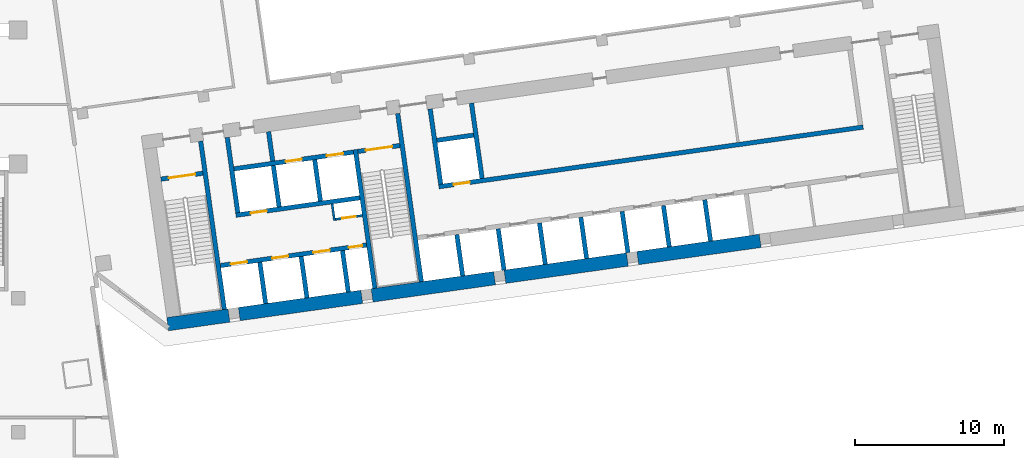
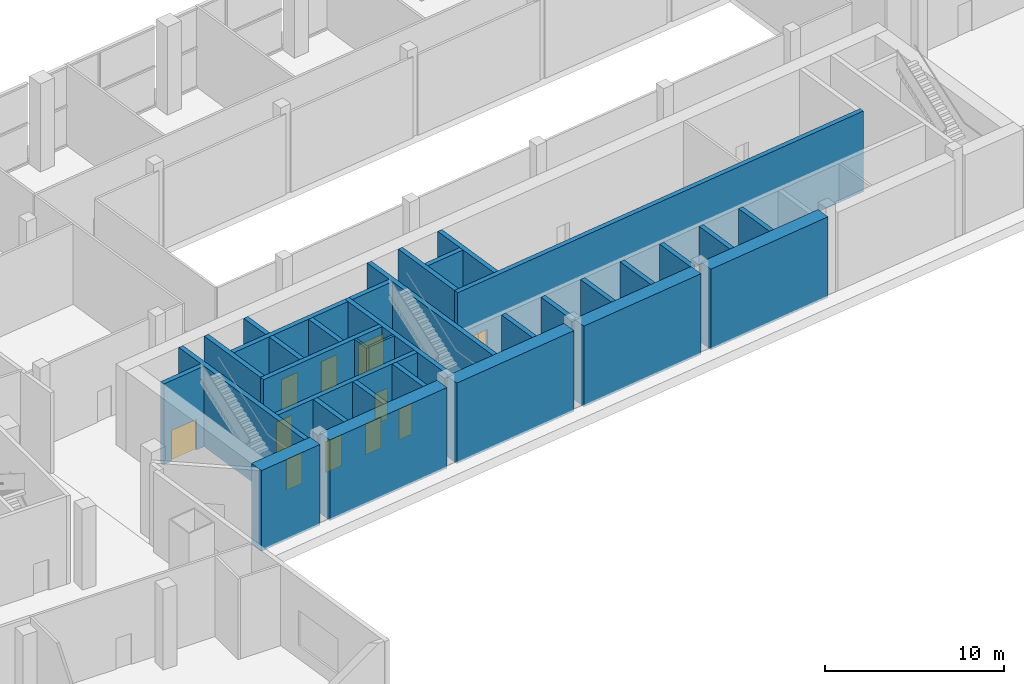
# One storey, part 16 of 24: 33 walls, 11 doors, 11 openings.
"""IFC4 building model written with IfcOpenShell, lengths in metres."""

from ifc_helpers import new_model, si_unit, direction, frame, frame_2d, origin, place, context, subcontext, project, spatial, rectangle, extrude, material, layer, layer_set, type_object, element, fill, save


model = new_model("IFC4")

# Units and contexts
model_context = context("Model", 3, precision=1e-05, world=origin(), true_north=direction((0.0, 1.0)))
body_context = subcontext(model_context, "Body", "Model", "MODEL_VIEW")
ifc_project = project(units=[si_unit("LENGTHUNIT", "METRE"), si_unit("AREAUNIT", "SQUARE_METRE"), si_unit("VOLUMEUNIT", "CUBIC_METRE"), si_unit("PLANEANGLEUNIT", "RADIAN"), si_unit("MASSUNIT", "GRAM", prefix="KILO")], contexts=[model_context])

# Site, building, storey
site_placement = place(None, origin())
site = spatial("IfcSite", under=ifc_project, at=site_placement, CompositionType="ELEMENT")
building_placement = place(site_placement, origin())
building = spatial("IfcBuilding", under=site, at=building_placement, Name="Mirante Cascada Hotel Towers", CompositionType="ELEMENT")
storey_placement = place(building_placement, frame((0.0, 0.0, 17.5)))
storey = spatial("IfcBuildingStorey", under=building, at=storey_placement, Name="L02", CompositionType="ELEMENT", Elevation=17.5)

# Wall
ifc_material_1 = material(Name="Masonry block", Category="masonry")
ifc_layer_1 = layer(ifc_material_1, 0.15)
ifc_layer_set_1 = layer_set([ifc_layer_1], Name="Core room partition 150 block EI 30")
wall_type_1 = type_object("IfcWallType", Name="Core room partition 150 block EI 30", PredefinedType="PARTITIONING", material=ifc_layer_set_1)
wall_1_placement = place(storey_placement, frame((48.2295, -12.793, 0.0), z_axis=(0.0, 0.0, 1.0), x_axis=(-0.1391935, 0.9902652, 0.0)))
element("IfcWall", 1, at=wall_1_placement, inside=storey, type_object=wall_type_1, Name="Core wall partition T2 L02 2", PredefinedType="PARTITIONING", context=body_context, shape_type="SweptSolid", body=[
    extrude(rectangle(XDim=1.1251, YDim=0.15, at=frame_2d((0.5626, 0.0))), origin(), (0.0, 0.0, 1.0), 5.5),
])

# Wall, opening, door
wall_2_placement = place(storey_placement, frame((48.2933, -12.7083, 0.0), z_axis=(0.0, 0.0, 1.0), x_axis=(0.990268, 0.1391734, 0.0)))
wall_2 = element("IfcWall", 2, at=wall_2_placement, inside=storey, type_object=wall_type_1, Name="Core wall partition T2 L02 3", PredefinedType="PARTITIONING", context=body_context, shape_type="SweptSolid", body=[
    extrude(rectangle(XDim=1.8251, YDim=0.15, at=frame_2d((0.9126, 0.0))), origin(), (0.0, 0.0, 1.0), 5.5),
])
opening_1_placement = place(wall_2_placement, frame((0.4625, 0.0, 0.0)))
opening_1 = element("IfcOpeningElement", 3, at=opening_1_placement, cuts=wall_2, Name="Opening D2-02-C26", PredefinedType="OPENING", context=body_context, shape_type="SweptSolid", body=[
    extrude(rectangle(XDim=0.9, YDim=2.1, at=frame_2d((0.45, 1.05))), frame((0.0, 0.075, 0.0), z_axis=(0.0, -1.0, 0.0), x_axis=(1.0, 0.0, 0.0)), (0.0, 0.0, 1.0), 0.15),
])
ifc_material_2 = material(Name="Hollow metal fire door leaf")
door_type_1 = type_object("IfcDoorType", Name="Fire door 900x2100 FD60", OperationType="NOTDEFINED", PredefinedType="DOOR", material=ifc_material_2)
door_1_placement = place(opening_1_placement, frame((0.9, 0.0, 0.0), z_axis=(0.0, 0.0, 1.0), x_axis=(-1.0, 0.0, 0.0)))
door_1 = element("IfcDoor", 4, at=door_1_placement, inside=storey, type_object=door_type_1, Name="Riser door T2 L02 26", OperationType="SINGLE_SWING_LEFT", OverallHeight=2.1, OverallWidth=0.9, PredefinedType="DOOR", context=body_context, shape_type="SweptSolid", body=[
    extrude(rectangle(XDim=0.9, YDim=2.1, at=frame_2d((0.45, 1.05))), frame((0.0, 0.025, 0.0), z_axis=(0.0, -1.0, 0.0), x_axis=(1.0, 0.0, 0.0)), (0.0, 0.0, 1.0), 0.05),
])
fill(opening_1, door_1)

# Walls
ifc_material_3 = material(Name="Masonry block", Category="masonry")
ifc_layer_2 = layer(ifc_material_3, 0.3)
ifc_layer_set_2 = layer_set([ifc_layer_2], Name="Core wall 300 block EI 120")
wall_type_2 = type_object("IfcWallType", Name="Core wall 300 block EI 120", PredefinedType="PARTITIONING", material=ifc_layer_set_2)
wall_3_placement = place(storey_placement, frame((44.0843, -8.8061, 0.0), z_axis=(0.0, 0.0, 1.0), x_axis=(-0.1391951, 0.990265, 0.0)))
element("IfcWall", 5, at=wall_3_placement, inside=storey, type_object=wall_type_2, Name="Core wall partition T2 L02 1", PredefinedType="PARTITIONING", context=body_context, shape_type="SweptSolid", body=[
    extrude(rectangle(XDim=2.0001, YDim=0.3, at=frame_2d((1.0001, 0.0))), origin(), (0.0, 0.0, 1.0), 5.5),
])
ifc_material_4 = material(Name="Concrete C50/60", Category="concrete")
ifc_layer_3 = layer(ifc_material_4, 0.3)
ifc_layer_set_3 = layer_set([ifc_layer_3], Name="RC core wall 300 C50/60")
wall_type_3 = type_object("IfcWallType", Name="RC core wall 300 C50/60", PredefinedType="SHEAR", material=ifc_layer_set_3)
wall_4_placement = place(storey_placement, frame((40.8373, -18.7548, 0.0), z_axis=(0.0, 0.0, 1.0), x_axis=(-0.1391749, 0.9902678, 0.0)))
element("IfcWall", 6, at=wall_4_placement, inside=storey, type_object=wall_type_3, Name="Core wall T2:L02:5", PredefinedType="SHEAR", context=body_context, shape_type="SweptSolid", body=[
    extrude(rectangle(XDim=11.4, YDim=0.3, at=frame_2d((5.7, 0.0))), origin(), (0.0, 0.0, 1.0), 5.5),
])
wall_5_placement = place(storey_placement, frame((50.938, -17.3352, 0.0), z_axis=(0.0, 0.0, 1.0), x_axis=(-0.1391706, 0.9902684, 0.0)))
element("IfcWall", 7, at=wall_5_placement, inside=storey, type_object=wall_type_3, Name="Core wall T2:L02:6", PredefinedType="SHEAR", context=body_context, shape_type="SweptSolid", body=[
    extrude(rectangle(XDim=9.4, YDim=0.3, at=frame_2d((4.7, 0.0))), origin(), (0.0, 0.0, 1.0), 5.5),
])
wall_6_placement = place(storey_placement, frame((54.0574, -16.8968, 0.0), z_axis=(0.0, 0.0, 1.0), x_axis=(-0.1391761, 0.9902677, 0.0)))
element("IfcWall", 8, at=wall_6_placement, inside=storey, type_object=wall_type_3, Name="Core wall T2:L02:7", PredefinedType="SHEAR", context=body_context, shape_type="SweptSolid", body=[
    extrude(rectangle(XDim=11.3999, YDim=0.3, at=frame_2d((5.7, 0.0))), origin(), (0.0, 0.0, 1.0), 5.5),
])

# Wall, opening, door
wall_7_placement = place(storey_placement, frame((36.5791, -10.0123, 0.0), z_axis=(0.0, 0.0, 1.0), x_axis=(0.9902704, 0.1391564, 0.0)))
wall_7 = element("IfcWall", 9, at=wall_7_placement, inside=storey, type_object=wall_type_3, Name="Core wall T2:L02:9", PredefinedType="SHEAR", context=body_context, shape_type="SweptSolid", body=[
    extrude(rectangle(XDim=2.85, YDim=0.3, at=frame_2d((1.425, 0.0))), origin(), (0.0, 0.0, 1.0), 5.5),
])
opening_2_placement = place(wall_7_placement, frame((0.525, 0.0, 0.0)))
opening_2 = element("IfcOpeningElement", 10, at=opening_2_placement, cuts=wall_7, Name="Opening D2-02-C16", PredefinedType="OPENING", context=body_context, shape_type="SweptSolid", body=[
    extrude(rectangle(XDim=1.8, YDim=2.1, at=frame_2d((0.9, 1.05))), frame((0.0, 0.15, 0.0), z_axis=(0.0, -1.0, 0.0), x_axis=(1.0, 0.0, 0.0)), (0.0, 0.0, 1.0), 0.3),
])
ifc_material_5 = material(Name="Hollow metal fire door leaf")
door_type_2 = type_object("IfcDoorType", Name="Double fire door 1800x2100 FD60", OperationType="DOUBLE_DOOR_SINGLE_SWING", PredefinedType="DOOR", material=ifc_material_5)
door_2_placement = place(opening_2_placement, frame((1.8, 0.0, 0.0), z_axis=(0.0, 0.0, 1.0), x_axis=(-1.0, 0.0, 0.0)))
door_2 = element("IfcDoor", 11, at=door_2_placement, inside=storey, type_object=door_type_2, Name="Stair door T2 L02 16", OperationType="DOUBLE_DOOR_SINGLE_SWING", OverallHeight=2.1, OverallWidth=1.8, PredefinedType="DOOR", context=body_context, shape_type="SweptSolid", body=[
    extrude(rectangle(XDim=0.895, YDim=2.1, at=frame_2d((0.4475, 1.05))), frame((0.0, 0.025, 0.0), z_axis=(0.0, -1.0, 0.0), x_axis=(1.0, 0.0, 0.0)), (0.0, 0.0, 1.0), 0.05),
    extrude(rectangle(XDim=0.895, YDim=2.1, at=frame_2d((1.3525, 1.05))), frame((0.0, 0.025, 0.0), z_axis=(0.0, -1.0, 0.0), x_axis=(1.0, 0.0, 0.0)), (0.0, 0.0, 1.0), 0.05),
])
fill(opening_2, door_2)

wall_8_placement = place(storey_placement, frame((49.7992, -8.1544, 0.0), z_axis=(0.0, 0.0, 1.0), x_axis=(0.9902656, 0.1391909, 0.0)))
wall_8 = element("IfcWall", 12, at=wall_8_placement, inside=storey, type_object=wall_type_3, Name="Core wall T2:L02:10", PredefinedType="SHEAR", context=body_context, shape_type="SweptSolid", body=[
    extrude(rectangle(XDim=2.85, YDim=0.3, at=frame_2d((1.425, 0.0))), origin(), (0.0, 0.0, 1.0), 5.5),
])
opening_3_placement = place(wall_8_placement, frame((0.525, 0.0, 0.0)))
opening_3 = element("IfcOpeningElement", 13, at=opening_3_placement, cuts=wall_8, Name="Opening D2-02-C18", PredefinedType="OPENING", context=body_context, shape_type="SweptSolid", body=[
    extrude(rectangle(XDim=1.8, YDim=2.1, at=frame_2d((0.9, 1.05))), frame((0.0, 0.15, 0.0), z_axis=(0.0, -1.0, 0.0), x_axis=(1.0, 0.0, 0.0)), (0.0, 0.0, 1.0), 0.3),
])
door_3_placement = place(opening_3_placement, frame((1.8, 0.0, 0.0), z_axis=(0.0, 0.0, 1.0), x_axis=(-1.0, 0.0, 0.0)))
door_3 = element("IfcDoor", 14, at=door_3_placement, inside=storey, type_object=door_type_2, Name="Stair door T2 L02 18", OperationType="DOUBLE_DOOR_SINGLE_SWING", OverallHeight=2.1, OverallWidth=1.8, PredefinedType="DOOR", context=body_context, shape_type="SweptSolid", body=[
    extrude(rectangle(XDim=0.895, YDim=2.1, at=frame_2d((0.4475, 1.05))), frame((0.0, 0.025, 0.0), z_axis=(0.0, -1.0, 0.0), x_axis=(1.0, 0.0, 0.0)), (0.0, 0.0, 1.0), 0.05),
    extrude(rectangle(XDim=0.895, YDim=2.1, at=frame_2d((1.3525, 1.05))), frame((0.0, 0.025, 0.0), z_axis=(0.0, -1.0, 0.0), x_axis=(1.0, 0.0, 0.0)), (0.0, 0.0, 1.0), 0.05),
])
fill(opening_3, door_3)

# Wall, openings, doors
wall_9_placement = place(storey_placement, frame((40.5753, -15.8126, 0.0), z_axis=(0.0, 0.0, 1.0), x_axis=(0.9902682, 0.1391725, 0.0)))
wall_9 = element("IfcWall", 15, at=wall_9_placement, inside=storey, type_object=wall_type_3, Name="Core wall T2:L02:12", PredefinedType="SHEAR", context=body_context, shape_type="SweptSolid", body=[
    extrude(rectangle(XDim=9.8999, YDim=0.3, at=frame_2d((4.95, 0.0))), origin(), (0.0, 0.0, 1.0), 5.5),
])
opening_4_placement = place(wall_9_placement, frame((0.7, 0.0, 0.0)))
opening_4 = element("IfcOpeningElement", 16, at=opening_4_placement, cuts=wall_9, Name="Opening LD", PredefinedType="OPENING", context=body_context, shape_type="SweptSolid", body=[
    extrude(rectangle(XDim=1.1, YDim=2.1, at=frame_2d((0.55, 1.05))), frame((0.0, 0.15, 0.0), z_axis=(0.0, -1.0, 0.0), x_axis=(1.0, 0.0, 0.0)), (0.0, 0.0, 1.0), 0.3),
])
opening_5_placement = place(wall_9_placement, frame((3.5, 0.0, 0.0)))
opening_5 = element("IfcOpeningElement", 17, at=opening_5_placement, cuts=wall_9, Name="Opening LD", PredefinedType="OPENING", context=body_context, shape_type="SweptSolid", body=[
    extrude(rectangle(XDim=1.1, YDim=2.1, at=frame_2d((0.55, 1.05))), frame((0.0, 0.15, 0.0), z_axis=(0.0, -1.0, 0.0), x_axis=(1.0, 0.0, 0.0)), (0.0, 0.0, 1.0), 0.3),
])
opening_6_placement = place(wall_9_placement, frame((6.3, 0.0, 0.0)))
opening_6 = element("IfcOpeningElement", 18, at=opening_6_placement, cuts=wall_9, Name="Opening LD", PredefinedType="OPENING", context=body_context, shape_type="SweptSolid", body=[
    extrude(rectangle(XDim=1.1, YDim=2.1, at=frame_2d((0.55, 1.05))), frame((0.0, 0.15, 0.0), z_axis=(0.0, -1.0, 0.0), x_axis=(1.0, 0.0, 0.0)), (0.0, 0.0, 1.0), 0.3),
])
opening_7_placement = place(wall_9_placement, frame((8.7, 0.0, 0.0)))
opening_7 = element("IfcOpeningElement", 19, at=opening_7_placement, cuts=wall_9, Name="Opening D2-02-C25", PredefinedType="OPENING", context=body_context, shape_type="SweptSolid", body=[
    extrude(rectangle(XDim=0.9, YDim=2.1, at=frame_2d((0.45, 1.05))), frame((0.0, 0.15, 0.0), z_axis=(0.0, -1.0, 0.0), x_axis=(1.0, 0.0, 0.0)), (0.0, 0.0, 1.0), 0.3),
])
door_4_placement = place(opening_7_placement, frame((0.9, 0.0, 0.0), z_axis=(0.0, 0.0, 1.0), x_axis=(-1.0, 0.0, 0.0)))
door_4 = element("IfcDoor", 20, at=door_4_placement, inside=storey, type_object=door_type_1, Name="Riser door T2 L02 25", OperationType="SINGLE_SWING_RIGHT", OverallHeight=2.1, OverallWidth=0.9, PredefinedType="DOOR", context=body_context, shape_type="SweptSolid", body=[
    extrude(rectangle(XDim=0.9, YDim=2.1, at=frame_2d((0.45, 1.05))), frame((0.0, 0.025, 0.0), z_axis=(0.0, -1.0, 0.0), x_axis=(1.0, 0.0, 0.0)), (0.0, 0.0, 1.0), 0.05),
])
fill(opening_7, door_4)
ifc_material_6 = material(Name="Stainless steel", Category="steel")
door_type_3 = type_object("IfcDoorType", Name="Lift landing door 1100x2100 EI 120", OperationType="DOUBLE_DOOR_SLIDING", PredefinedType="DOOR", material=ifc_material_6)
door_5_placement = place(opening_4_placement, origin())
door_5 = element("IfcDoor", 21, at=door_5_placement, inside=storey, type_object=door_type_3, Name="Lift landing door HR2-1 L02", OperationType="DOUBLE_DOOR_SLIDING", OverallHeight=2.1, OverallWidth=1.1, PredefinedType="DOOR", context=body_context, shape_type="SweptSolid", body=[
    extrude(rectangle(XDim=0.545, YDim=2.1, at=frame_2d((0.2725, 1.05))), frame((0.0, 0.025, 0.0), z_axis=(0.0, -1.0, 0.0), x_axis=(1.0, 0.0, 0.0)), (0.0, 0.0, 1.0), 0.05),
    extrude(rectangle(XDim=0.545, YDim=2.1, at=frame_2d((0.8275, 1.05))), frame((0.0, 0.025, 0.0), z_axis=(0.0, -1.0, 0.0), x_axis=(1.0, 0.0, 0.0)), (0.0, 0.0, 1.0), 0.05),
])
fill(opening_4, door_5)
door_6_placement = place(opening_5_placement, origin())
door_6 = element("IfcDoor", 22, at=door_6_placement, inside=storey, type_object=door_type_3, Name="Lift landing door HR2-2 L02", OperationType="DOUBLE_DOOR_SLIDING", OverallHeight=2.1, OverallWidth=1.1, PredefinedType="DOOR", context=body_context, shape_type="SweptSolid", body=[
    extrude(rectangle(XDim=0.545, YDim=2.1, at=frame_2d((0.2725, 1.05))), frame((0.0, 0.025, 0.0), z_axis=(0.0, -1.0, 0.0), x_axis=(1.0, 0.0, 0.0)), (0.0, 0.0, 1.0), 0.05),
    extrude(rectangle(XDim=0.545, YDim=2.1, at=frame_2d((0.8275, 1.05))), frame((0.0, 0.025, 0.0), z_axis=(0.0, -1.0, 0.0), x_axis=(1.0, 0.0, 0.0)), (0.0, 0.0, 1.0), 0.05),
])
fill(opening_5, door_6)
door_7_placement = place(opening_6_placement, origin())
door_7 = element("IfcDoor", 23, at=door_7_placement, inside=storey, type_object=door_type_3, Name="Lift landing door HR2-3 L02", OperationType="DOUBLE_DOOR_SLIDING", OverallHeight=2.1, OverallWidth=1.1, PredefinedType="DOOR", context=body_context, shape_type="SweptSolid", body=[
    extrude(rectangle(XDim=0.545, YDim=2.1, at=frame_2d((0.2725, 1.05))), frame((0.0, 0.025, 0.0), z_axis=(0.0, -1.0, 0.0), x_axis=(1.0, 0.0, 0.0)), (0.0, 0.0, 1.0), 0.05),
    extrude(rectangle(XDim=0.545, YDim=2.1, at=frame_2d((0.8275, 1.05))), frame((0.0, 0.025, 0.0), z_axis=(0.0, -1.0, 0.0), x_axis=(1.0, 0.0, 0.0)), (0.0, 0.0, 1.0), 0.05),
])
fill(opening_6, door_7)

# Wall, opening, door
wall_10_placement = place(storey_placement, frame((41.6153, -12.435, 0.0), z_axis=(0.0, 0.0, 1.0), x_axis=(0.9902691, 0.139166, 0.0)))
wall_10 = element("IfcWall", 24, at=wall_10_placement, inside=storey, type_object=wall_type_3, Name="Core wall T2:L02:13", PredefinedType="SHEAR", context=body_context, shape_type="SweptSolid", body=[
    extrude(rectangle(XDim=8.4, YDim=0.3, at=frame_2d((4.2, 0.0))), origin(), (0.0, 0.0, 1.0), 5.5),
])
opening_8_placement = place(wall_10_placement, frame((1.0, 0.0, 0.0)))
opening_8 = element("IfcOpeningElement", 25, at=opening_8_placement, cuts=wall_10, Name="Opening LD", PredefinedType="OPENING", context=body_context, shape_type="SweptSolid", body=[
    extrude(rectangle(XDim=1.1, YDim=2.1, at=frame_2d((0.55, 1.05))), frame((0.0, 0.15, 0.0), z_axis=(0.0, -1.0, 0.0), x_axis=(1.0, 0.0, 0.0)), (0.0, 0.0, 1.0), 0.3),
])
door_8_placement = place(opening_8_placement, origin())
door_8 = element("IfcDoor", 26, at=door_8_placement, inside=storey, type_object=door_type_3, Name="Lift landing door HR2-4 L02", OperationType="DOUBLE_DOOR_SLIDING", OverallHeight=2.1, OverallWidth=1.1, PredefinedType="DOOR", context=body_context, shape_type="SweptSolid", body=[
    extrude(rectangle(XDim=0.545, YDim=2.1, at=frame_2d((0.2725, 1.05))), frame((0.0, 0.025, 0.0), z_axis=(0.0, -1.0, 0.0), x_axis=(1.0, 0.0, 0.0)), (0.0, 0.0, 1.0), 0.05),
    extrude(rectangle(XDim=0.545, YDim=2.1, at=frame_2d((0.8275, 1.05))), frame((0.0, 0.025, 0.0), z_axis=(0.0, -1.0, 0.0), x_axis=(1.0, 0.0, 0.0)), (0.0, 0.0, 1.0), 0.05),
])
fill(opening_8, door_8)

# Wall, openings, doors
wall_11_placement = place(storey_placement, frame((41.481, -9.3234, 0.0), z_axis=(0.0, 0.0, 1.0), x_axis=(0.9902679, 0.1391741, 0.0)))
wall_11 = element("IfcWall", 27, at=wall_11_placement, inside=storey, type_object=wall_type_3, Name="Core wall T2:L02:14", PredefinedType="SHEAR", context=body_context, shape_type="SweptSolid", body=[
    extrude(rectangle(XDim=8.0999, YDim=0.3, at=frame_2d((4.05, 0.0))), origin(), (0.0, 0.0, 1.0), 5.5),
])
opening_9_placement = place(wall_11_placement, frame((3.5, 0.0, 0.0)))
opening_9 = element("IfcOpeningElement", 28, at=opening_9_placement, cuts=wall_11, Name="Opening LD", PredefinedType="OPENING", context=body_context, shape_type="SweptSolid", body=[
    extrude(rectangle(XDim=1.1, YDim=2.1, at=frame_2d((0.55, 1.05))), frame((0.0, 0.15, 0.0), z_axis=(0.0, -1.0, 0.0), x_axis=(1.0, 0.0, 0.0)), (0.0, 0.0, 1.0), 0.3),
])
opening_10_placement = place(wall_11_placement, frame((6.3, 0.0, 0.0)))
opening_10 = element("IfcOpeningElement", 29, at=opening_10_placement, cuts=wall_11, Name="Opening LD", PredefinedType="OPENING", context=body_context, shape_type="SweptSolid", body=[
    extrude(rectangle(XDim=1.1, YDim=2.1, at=frame_2d((0.55, 1.05))), frame((0.0, 0.15, 0.0), z_axis=(0.0, -1.0, 0.0), x_axis=(1.0, 0.0, 0.0)), (0.0, 0.0, 1.0), 0.3),
])
door_9_placement = place(opening_9_placement, origin())
door_9 = element("IfcDoor", 30, at=door_9_placement, inside=storey, type_object=door_type_3, Name="Lift landing door FF3 L02", OperationType="DOUBLE_DOOR_SLIDING", OverallHeight=2.1, OverallWidth=1.1, PredefinedType="DOOR", context=body_context, shape_type="SweptSolid", body=[
    extrude(rectangle(XDim=0.545, YDim=2.1, at=frame_2d((0.2725, 1.05))), frame((0.0, 0.025, 0.0), z_axis=(0.0, -1.0, 0.0), x_axis=(1.0, 0.0, 0.0)), (0.0, 0.0, 1.0), 0.05),
    extrude(rectangle(XDim=0.545, YDim=2.1, at=frame_2d((0.8275, 1.05))), frame((0.0, 0.025, 0.0), z_axis=(0.0, -1.0, 0.0), x_axis=(1.0, 0.0, 0.0)), (0.0, 0.0, 1.0), 0.05),
])
fill(opening_9, door_9)
door_10_placement = place(opening_10_placement, origin())
door_10 = element("IfcDoor", 31, at=door_10_placement, inside=storey, type_object=door_type_3, Name="Lift landing door FF4 L02", OperationType="DOUBLE_DOOR_SLIDING", OverallHeight=2.1, OverallWidth=1.1, PredefinedType="DOOR", context=body_context, shape_type="SweptSolid", body=[
    extrude(rectangle(XDim=0.545, YDim=2.1, at=frame_2d((0.2725, 1.05))), frame((0.0, 0.025, 0.0), z_axis=(0.0, -1.0, 0.0), x_axis=(1.0, 0.0, 0.0)), (0.0, 0.0, 1.0), 0.05),
    extrude(rectangle(XDim=0.545, YDim=2.1, at=frame_2d((0.8275, 1.05))), frame((0.0, 0.025, 0.0), z_axis=(0.0, -1.0, 0.0), x_axis=(1.0, 0.0, 0.0)), (0.0, 0.0, 1.0), 0.05),
])
fill(opening_10, door_10)

# Walls
wall_12_placement = place(storey_placement, frame((43.61, -18.3651, 0.0), z_axis=(0.0, 0.0, 1.0), x_axis=(-0.1391459, 0.9902719, 0.0)))
element("IfcWall", 32, at=wall_12_placement, inside=storey, type_object=wall_type_3, Name="Core wall T2:L02:15", PredefinedType="SHEAR", context=body_context, shape_type="SweptSolid", body=[
    extrude(rectangle(XDim=2.7999, YDim=0.3, at=frame_2d((1.4, 0.0))), origin(), (0.0, 0.0, 1.0), 5.5),
])
wall_13_placement = place(storey_placement, frame((46.3828, -17.9754, 0.0), z_axis=(0.0, 0.0, 1.0), x_axis=(-0.139181, 0.990267, 0.0)))
element("IfcWall", 33, at=wall_13_placement, inside=storey, type_object=wall_type_3, Name="Core wall T2:L02:16", PredefinedType="SHEAR", context=body_context, shape_type="SweptSolid", body=[
    extrude(rectangle(XDim=2.8, YDim=0.3, at=frame_2d((1.4, 0.0))), origin(), (0.0, 0.0, 1.0), 5.5),
])
wall_14_placement = place(storey_placement, frame((49.1555, -17.5857, 0.0), z_axis=(0.0, 0.0, 1.0), x_axis=(-0.1391459, 0.9902719, 0.0)))
element("IfcWall", 34, at=wall_14_placement, inside=storey, type_object=wall_type_3, Name="Core wall T2:L02:17", PredefinedType="SHEAR", context=body_context, shape_type="SweptSolid", body=[
    extrude(rectangle(XDim=2.7999, YDim=0.3, at=frame_2d((1.4, 0.0))), origin(), (0.0, 0.0, 1.0), 5.5),
])
for number, where, z_axis, x_axis, name in (
    (35, (44.5157, -11.8759, 0.0), (0.0, 0.0, 1.0), (-0.139181, 0.990267, 0.0), "Core wall T2:L02:18"),
    (36, (47.2885, -11.4862, 0.0), (0.0, 0.0, 1.0), (-0.139181, 0.990267, 0.0), "Core wall T2:L02:19"),
):
    element("IfcWall", number, at=place(storey_placement, frame(where, z_axis=z_axis, x_axis=x_axis)), inside=storey, type_object=wall_type_3, Name=name, PredefinedType="SHEAR", context=body_context, shape_type="SweptSolid", body=[
        extrude(rectangle(XDim=2.8, YDim=0.3, at=frame_2d((1.4, 0.0))), origin(), (0.0, 0.0, 1.0), 5.5),
    ])
wall_15_placement = place(storey_placement, frame((41.743, -12.2656, 0.0), z_axis=(0.0, 0.0, 1.0), x_axis=(-0.1391755, 0.9902677, 0.0)))
element("IfcWall", 37, at=wall_15_placement, inside=storey, type_object=wall_type_3, Name="Core wall T2:L02:20", PredefinedType="SHEAR", context=body_context, shape_type="SweptSolid", body=[
    extrude(rectangle(XDim=5.1, YDim=0.3, at=frame_2d((2.55, 0.0))), origin(), (0.0, 0.0, 1.0), 5.5),
])
for number, where, z_axis, x_axis, name in (
    (38, (56.8301, -16.5072, 0.0), (0.0, 0.0, 1.0), (-0.139176, 0.9902677, 0.0), "Core wall T2:L02:25"),
    (39, (59.6029, -16.1175, 0.0), (0.0, 0.0, 1.0), (-0.139176, 0.9902677, 0.0), "Core wall T2:L02:26"),
    (40, (62.3756, -15.7278, 0.0), (0.0, 0.0, 1.0), (-0.139176, 0.9902677, 0.0), "Core wall T2:L02:27"),
    (41, (65.1484, -15.3381, 0.0), (0.0, 0.0, 1.0), (-0.139176, 0.9902677, 0.0), "Core wall T2:L02:28"),
):
    element("IfcWall", number, at=place(storey_placement, frame(where, z_axis=z_axis, x_axis=x_axis)), inside=storey, type_object=wall_type_3, Name=name, PredefinedType="SHEAR", context=body_context, shape_type="SweptSolid", body=[
        extrude(rectangle(XDim=2.8001, YDim=0.3, at=frame_2d((1.4, 0.0))), origin(), (0.0, 0.0, 1.0), 5.5),
    ])
for number, where, z_axis, x_axis, name in (
    (42, (67.9211, -14.9484, 0.0), (0.0, 0.0, 1.0), (-0.139181, 0.990267, 0.0), "Core wall T2:L02:29"),
    (43, (70.6939, -14.5587, 0.0), (0.0, 0.0, 1.0), (-0.139181, 0.990267, 0.0), "Core wall T2:L02:30"),
    (44, (73.4666, -14.169, 0.0), (0.0, 0.0, 1.0), (-0.139181, 0.990267, 0.0), "Core wall T2:L02:31"),
):
    element("IfcWall", number, at=place(storey_placement, frame(where, z_axis=z_axis, x_axis=x_axis)), inside=storey, type_object=wall_type_3, Name=name, PredefinedType="SHEAR", context=body_context, shape_type="SweptSolid", body=[
        extrude(rectangle(XDim=2.8, YDim=0.3, at=frame_2d((1.4, 0.0))), origin(), (0.0, 0.0, 1.0), 5.5),
    ])

# Wall, opening, door
wall_16_placement = place(storey_placement, frame((55.2315, -10.5214, 0.0), z_axis=(0.0, 0.0, 1.0), x_axis=(0.9902682, 0.1391722, 0.0)))
wall_16 = element("IfcWall", 45, at=wall_16_placement, inside=storey, type_object=wall_type_3, Name="Core wall T2:L02:34", PredefinedType="SHEAR", context=body_context, shape_type="SweptSolid", body=[
    extrude(rectangle(XDim=28.75, YDim=0.3, at=frame_2d((14.375, 0.0))), origin(), (0.0, 0.0, 1.0), 5.5),
])
opening_11_placement = place(wall_16_placement, frame((1.0, 0.0, 0.0)))
opening_11 = element("IfcOpeningElement", 46, at=opening_11_placement, cuts=wall_16, Name="Opening LD", PredefinedType="OPENING", context=body_context, shape_type="SweptSolid", body=[
    extrude(rectangle(XDim=1.1, YDim=2.1, at=frame_2d((0.55, 1.05))), frame((0.0, 0.15, 0.0), z_axis=(0.0, -1.0, 0.0), x_axis=(1.0, 0.0, 0.0)), (0.0, 0.0, 1.0), 0.3),
])
door_11_placement = place(opening_11_placement, origin())
door_11 = element("IfcDoor", 47, at=door_11_placement, inside=storey, type_object=door_type_3, Name="Lift landing door LR2-3 L02", OperationType="DOUBLE_DOOR_SLIDING", OverallHeight=2.1, OverallWidth=1.1, PredefinedType="DOOR", context=body_context, shape_type="SweptSolid", body=[
    extrude(rectangle(XDim=0.545, YDim=2.1, at=frame_2d((0.2725, 1.05))), frame((0.0, 0.025, 0.0), z_axis=(0.0, -1.0, 0.0), x_axis=(1.0, 0.0, 0.0)), (0.0, 0.0, 1.0), 0.05),
    extrude(rectangle(XDim=0.545, YDim=2.1, at=frame_2d((0.8275, 1.05))), frame((0.0, 0.025, 0.0), z_axis=(0.0, -1.0, 0.0), x_axis=(1.0, 0.0, 0.0)), (0.0, 0.0, 1.0), 0.05),
])
fill(opening_11, door_11)

# Walls
for number, where, z_axis, x_axis, name in (
    (48, (55.3592, -10.352, 0.0), (0.0, 0.0, 1.0), (-0.1391755, 0.9902677, 0.0), "Core wall T2:L02:35"),
    (49, (58.1319, -9.9623, 0.0), (0.0, 0.0, 1.0), (-0.1391755, 0.9902677, 0.0), "Core wall T2:L02:37"),
):
    element("IfcWall", number, at=place(storey_placement, frame(where, z_axis=z_axis, x_axis=x_axis)), inside=storey, type_object=wall_type_3, Name=name, PredefinedType="SHEAR", context=body_context, shape_type="SweptSolid", body=[
        extrude(rectangle(XDim=5.1, YDim=0.3, at=frame_2d((2.55, 0.0))), origin(), (0.0, 0.0, 1.0), 5.5),
    ])
wall_17_placement = place(storey_placement, frame((55.0971, -7.4098, 0.0), z_axis=(0.0, 0.0, 1.0), x_axis=(0.9902701, 0.1391586, 0.0)))
element("IfcWall", 50, at=wall_17_placement, inside=storey, type_object=wall_type_3, Name="Core wall T2:L02:38", PredefinedType="SHEAR", context=body_context, shape_type="SweptSolid", body=[
    extrude(rectangle(XDim=2.5, YDim=0.3, at=frame_2d((1.25, 0.0))), origin(), (0.0, 0.0, 1.0), 5.5),
])
ifc_material_7 = material(Name="Concrete C50/60", Category="concrete")
ifc_layer_4 = layer(ifc_material_7, 0.9)
ifc_layer_set_4 = layer_set([ifc_layer_4], Name="RC core wall 900 C50/60")
wall_type_4 = type_object("IfcWallType", Name="RC core wall 900 C50/60", PredefinedType="SHEAR", material=ifc_layer_set_4)
wall_18_placement = place(storey_placement, frame((37.0379, -19.7432, 0.0), z_axis=(0.0, 0.0, 1.0), x_axis=(0.990267, 0.139181, 0.0)))
element("IfcWall", 51, at=wall_18_placement, inside=storey, type_object=wall_type_4, Name="Core wall T2:L02:1.1", PredefinedType="SHEAR", context=body_context, shape_type="SweptSolid", body=[
    extrude(rectangle(XDim=4.15, YDim=0.9, at=frame_2d((2.075, 0.0))), origin(), (0.0, 0.0, 1.0), 5.5),
])
for number, where, z_axis, x_axis, name in (
    (52, (41.8407, -19.0682, 0.0), (0.0, 0.0, 1.0), (0.9902686, 0.1391692, 0.0), "Core wall T2:L02:1.2"),
    (53, (50.7531, -17.8156, 0.0), (0.0, 0.0, 1.0), (0.9902686, 0.1391692, 0.0), "Core wall T2:L02:1.3"),
    (54, (59.6655, -16.5631, 0.0), (0.0, 0.0, 1.0), (0.9902686, 0.1391692, 0.0), "Core wall T2:L02:1.4"),
    (55, (68.5779, -15.3105, 0.0), (0.0, 0.0, 1.0), (0.9902686, 0.1391692, 0.0), "Core wall T2:L02:1.5"),
):
    element("IfcWall", number, at=place(storey_placement, frame(where, z_axis=z_axis, x_axis=x_axis)), inside=storey, type_object=wall_type_4, Name=name, PredefinedType="SHEAR", context=body_context, shape_type="SweptSolid", body=[
        extrude(rectangle(XDim=8.3, YDim=0.9, at=frame_2d((4.15, 0.0))), origin(), (0.0, 0.0, 1.0), 5.5),
    ])

save(model, "model.ifc")
